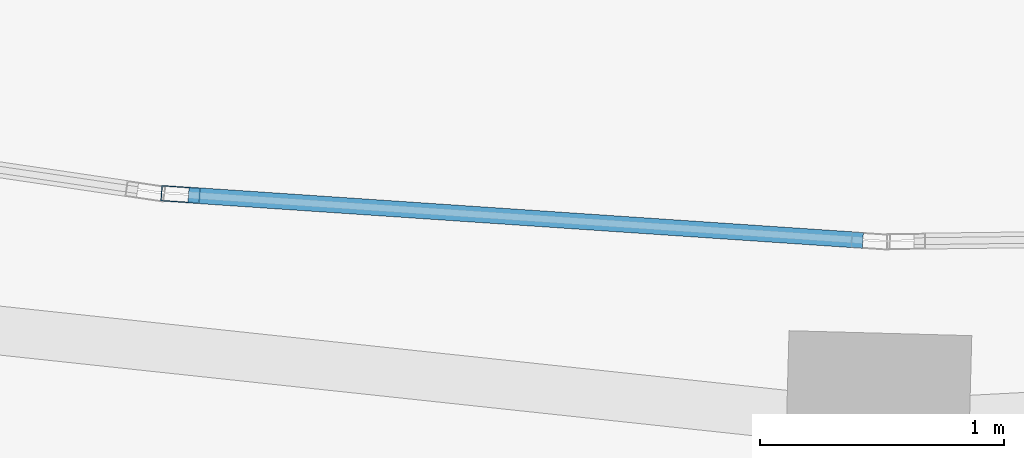
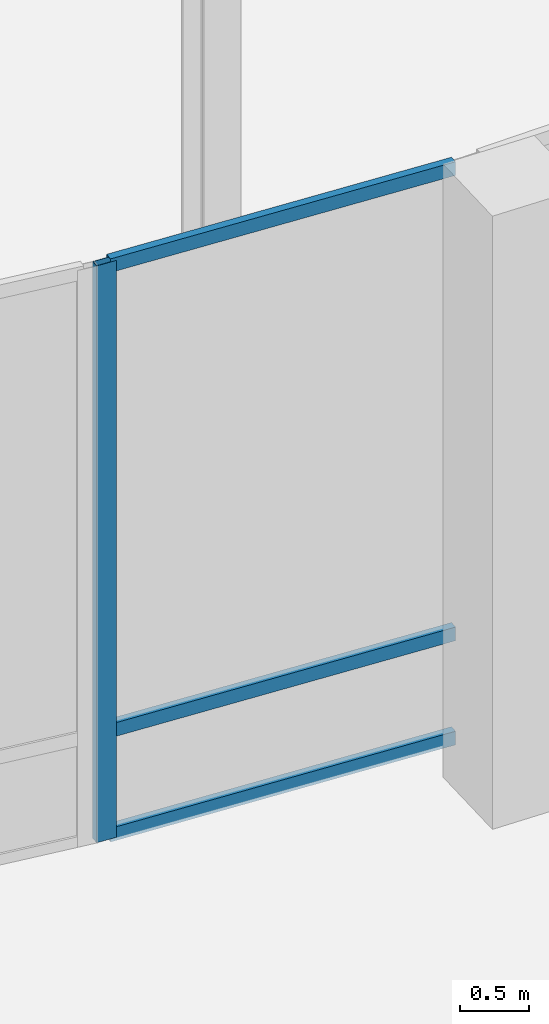
# One storey, part 35 of 158: 4 members, 1 element without a shape of its own.
"""IFC4 building model written with IfcOpenShell, lengths in metres."""

import ifcopenshell
import ifcopenshell.guid

model = None  # the IFC model being written
_history = None  # IfcOwnerHistory: only IFC2X3 demands one
_inside = {}  # id of a spatial element -> (the spatial element, [elements in it])
_under = {}  # id of a project, library or spatial element -> (it, [spatial elements below it])
_declared = {}  # id of a project -> (the project, [libraries it declares])
_typed = {}  # id of a type object -> (the type object, [elements of that type])
_made_of = {}  # id of a material, layer set ... -> (it, [elements and type objects made of it])


def new_model(schema):
    """Start an empty IFC model of exactly this schema.

    Asked for "IFC4X3", IfcOpenShell would pick the latest addendum, in which some entities
    have other attributes; the version numbers below select the first issue.
    IFC2X3 requires an IfcOwnerHistory on every rooted entity: one is made here for all.
    """
    global model, _history
    if schema == "IFC4X3":
        model = ifcopenshell.file(schema_version=(4, 3, 0, 0))
    else:
        model = ifcopenshell.file(schema=schema)
    _inside.clear()
    _under.clear()
    _declared.clear()
    _typed.clear()
    _made_of.clear()
    _history = None
    if model.schema == "IFC2X3":
        org = make("IfcOrganization", Name="unknown")
        user = make(
            "IfcPersonAndOrganization",
            ThePerson=make("IfcPerson", FamilyName="unknown"),
            TheOrganization=org,
        )
        app = make(
            "IfcApplication",
            ApplicationDeveloper=org,
            Version="unknown",
            ApplicationFullName="unknown",
            ApplicationIdentifier="unknown",
        )
        _history = make(
            "IfcOwnerHistory",
            OwningUser=user,
            OwningApplication=app,
            ChangeAction="ADDED",
            CreationDate=0,
        )
    return model


def make(cls, **values):
    """One entity of the class cls with the attributes given. An attribute that is None is left unset."""
    return model.create_entity(
        cls, **{name: value for name, value in values.items() if value is not None}
    )


def rooted(cls, **values):
    """An entity with a GlobalId (a new one), such as an element, a storey or a relation."""
    return make(cls, GlobalId=ifcopenshell.guid.new(), OwnerHistory=_history, **values)


def si_unit(unit_type, name, prefix=None):
    """IfcSIUnit, for example si_unit("LENGTHUNIT", "METRE", prefix="MILLI")."""
    return make("IfcSIUnit", UnitType=unit_type, Prefix=prefix, Name=name)


def assignment(units):
    """IfcUnitAssignment: the units of a project."""
    return None if units is None else make("IfcUnitAssignment", Units=units)


def point(xyz):
    """IfcCartesianPoint."""
    return None if xyz is None else make("IfcCartesianPoint", Coordinates=xyz)


def direction(xyz):
    """IfcDirection."""
    return None if xyz is None else make("IfcDirection", DirectionRatios=xyz)


def frame(location, z_axis=None, x_axis=None):
    """IfcAxis2Placement3D, a coordinate frame: its origin and axes. An axis left out is left unset."""
    return make(
        "IfcAxis2Placement3D",
        Location=point(location),
        Axis=direction(z_axis),
        RefDirection=direction(x_axis),
    )


def frame_2d(location, x_axis=None):
    """IfcAxis2Placement2D, a coordinate frame in the plane: its origin and x axis."""
    return make(
        "IfcAxis2Placement2D", Location=point(location), RefDirection=direction(x_axis)
    )


def origin():
    """The frame at (0, 0, 0) with its axes left unset."""
    return frame((0.0, 0.0, 0.0))


def origin_2d():
    """The frame at (0, 0) in the plane with its x axis left unset."""
    return frame_2d((0.0, 0.0))


def place(relative_to, where):
    """IfcLocalPlacement: puts the frame where relative to a parent placement (None: the world)."""
    return make(
        "IfcLocalPlacement", PlacementRelTo=relative_to, RelativePlacement=where
    )


def context(
    kind, dimensions, precision=None, world=None, true_north=None, identifier=None
):
    """IfcGeometricRepresentationContext, for example the 3D "Model" context."""
    return make(
        "IfcGeometricRepresentationContext",
        ContextIdentifier=identifier,
        ContextType=kind,
        CoordinateSpaceDimension=dimensions,
        Precision=precision,
        WorldCoordinateSystem=world,
        TrueNorth=true_north,
    )


def subcontext(parent, identifier, kind, view, scale=None):
    """IfcGeometricRepresentationSubContext, for example "Body" below "Model"."""
    return make(
        "IfcGeometricRepresentationSubContext",
        ContextIdentifier=identifier,
        ContextType=kind,
        ParentContext=parent,
        TargetScale=scale,
        TargetView=view,
    )


def project(units=None, contexts=None):
    """IfcProject with its units and contexts."""
    return rooted(
        "IfcProject",
        Name="project",
        RepresentationContexts=contexts,
        UnitsInContext=assignment(units),
    )


def spatial(cls, under=None, at=None, **own):
    """A site, building, storey or space (cls), placed at a placement, below another one or the project."""
    s = rooted(cls, ObjectPlacement=at, **own)
    if under is not None:
        _under.setdefault(under.id(), (under, []))[1].append(s)
    return s


def profile(cls, at=None, kind="AREA", **sizes):
    """A parametric profile (cls). Its sizes go by their IFC names, for example OverallWidth=200.0."""
    return make(cls, ProfileType=kind, Position=at, **sizes)


def hollow_rectangle(**sizes):
    """IfcRectangleHollowProfileDef."""
    return profile("IfcRectangleHollowProfileDef", **sizes)


def extrude(swept, where, along, depth):
    """IfcExtrudedAreaSolid: the profile swept, set in the frame where, extruded along a direction by depth."""
    return make(
        "IfcExtrudedAreaSolid",
        SweptArea=swept,
        Position=where,
        ExtrudedDirection=direction(along),
        Depth=depth,
    )


def shape(context_of_items, identifier, shape_type, items):
    """IfcShapeRepresentation: the items that make up one representation, for example the "Body"."""
    return make(
        "IfcShapeRepresentation",
        ContextOfItems=context_of_items,
        RepresentationIdentifier=identifier,
        RepresentationType=shape_type,
        Items=items,
    )


def material(Name=None, Category=None):
    """IfcMaterial."""
    return make("IfcMaterial", Name=Name, Category=Category)


def material_profile(
    of_material, cross_section, Name=None, Category=None, Priority=None
):
    """IfcMaterialProfile: a cross section and its material."""
    return make(
        "IfcMaterialProfile",
        Name=Name,
        Material=of_material,
        Profile=cross_section,
        Priority=Priority,
        Category=Category,
    )


def profile_set(profiles, Name=None, composite=None):
    """IfcMaterialProfileSet."""
    return make(
        "IfcMaterialProfileSet",
        Name=Name,
        MaterialProfiles=profiles,
        CompositeProfile=composite,
    )


def made_of(thing, what):
    """Note that an element or type object is made of a material, layer set ...; save() writes the relation."""
    if what is not None:
        _made_of.setdefault(what.id(), (what, []))[1].append(thing)
    return thing


def type_object(cls, material=None, **own):
    """A type object (cls), such as IfcWallType, which elements share."""
    return made_of(rooted(cls, **own), material)


def element(
    cls,
    number,
    at=None,
    inside=None,
    cuts=None,
    type_object=None,
    material=None,
    context=None,
    identifier="Body",
    shape_type=None,
    held_by="IfcProductDefinitionShape",
    body=None,
    shapes=None,
    **own,
):
    """One element of the class cls, such as IfcWall. Its Tag is "e" and its number.

    at: its placement. inside: the storey or other place that contains it. cuts: it is an
    opening in that element (IfcRelVoidsElement). A single representation is given by context,
    identifier, shape_type and body (its items); several are given by shapes. held_by: the class
    of the entity that holds the representations. save() writes the other relations.
    """
    e = rooted(cls, Tag="e%d" % number, ObjectPlacement=at, **own)
    if body is not None:
        shapes = [shape(context, identifier, shape_type, body)]
    if shapes is not None:
        e.Representation = make(held_by, Representations=shapes)
    if inside is not None:
        _inside.setdefault(inside.id(), (inside, []))[1].append(e)
    if cuts is not None:
        rooted(
            "IfcRelVoidsElement", RelatingBuildingElement=cuts, RelatedOpeningElement=e
        )
    if type_object is not None:
        _typed.setdefault(type_object.id(), (type_object, []))[1].append(e)
    return made_of(e, material)


def aggregate(whole, parts):
    """IfcRelAggregates: a whole, such as a stair, and the parts it consists of."""
    return rooted("IfcRelAggregates", RelatingObject=whole, RelatedObjects=parts)


def save(model, path):
    """Write the relations noted so far, then the file.

    IfcRelAggregates (storeys below a building ...), IfcRelContainedInSpatialStructure (elements
    in a storey), IfcRelDefinesByType, IfcRelAssociatesMaterial and IfcRelDeclares: one each for
    every whole, place, type object, material and project.
    """
    for whole, parts in _under.values():
        aggregate(whole, parts)
    for where, things in _inside.values():
        rooted(
            "IfcRelContainedInSpatialStructure",
            RelatedElements=things,
            RelatingStructure=where,
        )
    for kind, things in _typed.values():
        rooted("IfcRelDefinesByType", RelatedObjects=things, RelatingType=kind)
    for what, things in _made_of.values():
        rooted("IfcRelAssociatesMaterial", RelatedObjects=things, RelatingMaterial=what)
    for by, libraries in _declared.values():
        rooted("IfcRelDeclares", RelatingContext=by, RelatedDefinitions=libraries)
    model.write(path)


model = new_model("IFC4")

# Units and contexts
model_context = context("Model", 3, precision=1e-05, world=origin(), true_north=direction((0.0, 1.0)))
body_context = subcontext(model_context, "Body", "Model", "MODEL_VIEW")
ifc_project = project(units=[si_unit("LENGTHUNIT", "METRE"), si_unit("AREAUNIT", "SQUARE_METRE"), si_unit("VOLUMEUNIT", "CUBIC_METRE"), si_unit("PLANEANGLEUNIT", "RADIAN"), si_unit("MASSUNIT", "GRAM", prefix="KILO")], contexts=[model_context])

# Site, building, storey
site_placement = place(None, origin())
site = spatial("IfcSite", under=ifc_project, at=site_placement, CompositionType="ELEMENT")
building_placement = place(site_placement, origin())
building = spatial("IfcBuilding", under=site, at=building_placement, Name="Selatvlak General Hospital", CompositionType="ELEMENT")
storey_placement = place(building_placement, origin())
storey = spatial("IfcBuildingStorey", under=building, at=storey_placement, Name="L00", CompositionType="ELEMENT", Elevation=0.0)

# Curtain wall, members
ifc_material_1 = material(Name="Solar-control Low-E double glazing", Category="glass")
curtain_wall_type = type_object("IfcCurtainWallType", Name="CW-CW-02", PredefinedType="USERDEFINED", material=ifc_material_1)
curtain_wall_placement = place(storey_placement, origin())
curtain_wall = element("IfcCurtainWall", 1, at=curtain_wall_placement, inside=storey, type_object=curtain_wall_type, Name="Glazed facade curtain wall CW-L00-0076", ObjectType="UNITISED CURTAIN WALL", PredefinedType="USERDEFINED")
ifc_material_2 = material(Name="Dark anodised aluminium mullion", Category="aluminium")
ifc_material_profile_1 = material_profile(ifc_material_2, hollow_rectangle(XDim=0.06494140625, YDim=0.159912109375, WallThickness=0.00390625, at=origin_2d()), Name="AL-MUL 65x160x4")
ifc_profile_set_1 = profile_set([ifc_material_profile_1], Name="Dark anodised aluminium mullion")
member_type_1 = type_object("IfcMemberType", Name="CWM-01", PredefinedType="MULLION", material=ifc_profile_set_1)
member_1_placement = place(storey_placement, frame((52.107421875, 42.206787109375, 0.0), z_axis=(0.0, 0.0, 1.0), x_axis=(0.067182127799, 0.997740728699, 0.0)))
member_1 = element("IfcMember", 2, at=member_1_placement, type_object=member_type_1, Name="CW-02 mullion 1", PredefinedType="MULLION", context=body_context, shape_type="SweptSolid", body=[
    extrude(hollow_rectangle(XDim=0.06494140625, YDim=0.159912109375, WallThickness=0.00390625, at=origin_2d()), origin(), (0.0, 0.0, 1.0), 5.080078125),
])
ifc_material_profile_2 = material_profile(ifc_material_2, hollow_rectangle(XDim=0.06494140625, YDim=0.1201171875, WallThickness=0.00390625, at=origin_2d()), Name="AL-TRN 65x120x4")
ifc_profile_set_2 = profile_set([ifc_material_profile_2], Name="Dark anodised aluminium mullion")
member_type_2 = type_object("IfcMemberType", Name="CWT-01", PredefinedType="USERDEFINED", material=ifc_profile_set_2)
member_2_placement = place(storey_placement, frame((52.139892578125, 42.20458984375, 0.032470703125), z_axis=(0.997740518771, -0.067185245417, 0.0), x_axis=(0.067185245417, 0.997740518771, 0.0)))
member_2 = element("IfcMember", 3, at=member_2_placement, type_object=member_type_2, Name="CW-02 transom 1.1", ObjectType="TRANSOM", PredefinedType="USERDEFINED", context=body_context, shape_type="SweptSolid", body=[
    extrude(hollow_rectangle(XDim=0.06494140625, YDim=0.1201171875, WallThickness=0.00390625, at=origin_2d()), origin(), (0.0, 0.0, 1.0), 2.772705078125),
])
member_3_placement = place(storey_placement, frame((52.139892578125, 42.20458984375, 0.949951171875), z_axis=(0.997740518771, -0.067185245417, 0.0), x_axis=(0.067185245417, 0.997740518771, 0.0)))
member_3 = element("IfcMember", 4, at=member_3_placement, type_object=member_type_2, Name="CW-02 transom 1.2", ObjectType="TRANSOM", PredefinedType="USERDEFINED", context=body_context, shape_type="SweptSolid", body=[
    extrude(hollow_rectangle(XDim=0.06494140625, YDim=0.1201171875, WallThickness=0.00390625, at=origin_2d()), origin(), (0.0, 0.0, 1.0), 2.772705078125),
])
member_4_placement = place(storey_placement, frame((52.139892578125, 42.20458984375, 5.047607421875), z_axis=(0.997740518771, -0.067185245417, 0.0), x_axis=(0.067185245417, 0.997740518771, 0.0)))
member_4 = element("IfcMember", 5, at=member_4_placement, type_object=member_type_2, Name="CW-02 transom 1.3", ObjectType="TRANSOM", PredefinedType="USERDEFINED", context=body_context, shape_type="SweptSolid", body=[
    extrude(hollow_rectangle(XDim=0.06494140625, YDim=0.1201171875, WallThickness=0.00390625, at=origin_2d()), origin(), (0.0, 0.0, 1.0), 2.772705078125),
])
aggregate(curtain_wall, [member_1, member_2, member_3, member_4])

save(model, "model.ifc")
